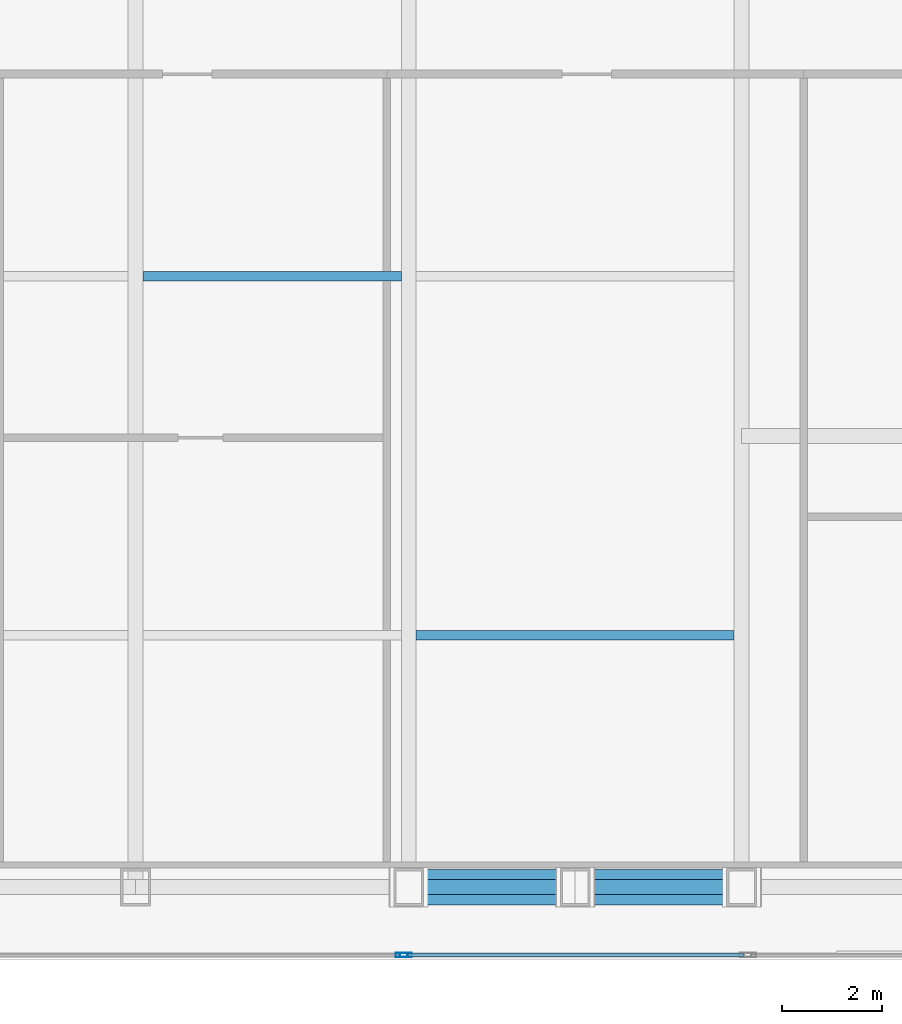
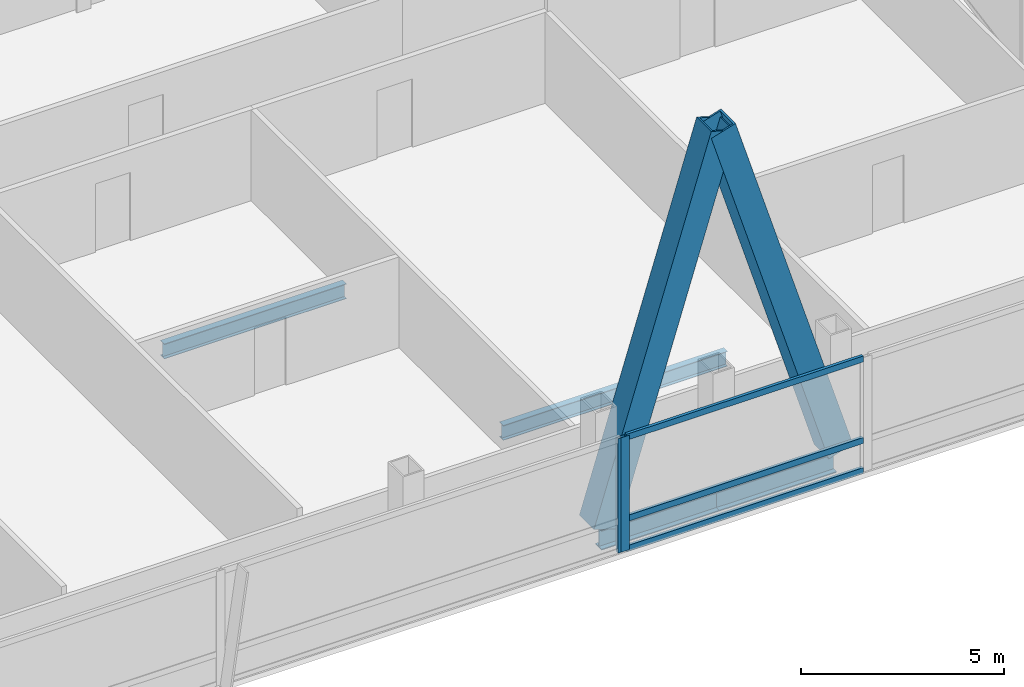
# One storey, part 13 of 32: 7 members, 4 beams, 2 elements without a shape of their own.
"""IFC4 building model written with IfcOpenShell, lengths in metres."""

from ifc_helpers import new_model, si_unit, direction, frame, origin, origin_2d, place, context, subcontext, project, spatial, hollow_rectangle, i_section, extrude, material, material_profile, profile_set, type_object, element, aggregate, save


model = new_model("IFC4")

# Units and contexts
model_context = context("Model", 3, precision=1e-05, world=origin(), true_north=direction((0.0, 1.0)))
body_context = subcontext(model_context, "Body", "Model", "MODEL_VIEW")
ifc_project = project(units=[si_unit("LENGTHUNIT", "METRE"), si_unit("AREAUNIT", "SQUARE_METRE"), si_unit("VOLUMEUNIT", "CUBIC_METRE"), si_unit("PLANEANGLEUNIT", "RADIAN"), si_unit("MASSUNIT", "GRAM", prefix="KILO")], contexts=[model_context])

# Site, building, storey
site_placement = place(None, origin())
site = spatial("IfcSite", under=ifc_project, at=site_placement, CompositionType="ELEMENT")
building_placement = place(site_placement, origin())
building = spatial("IfcBuilding", under=site, at=building_placement, Name="Khoronbel Lancet Exchange", CompositionType="ELEMENT")
storey_placement = place(building_placement, frame((0.0, 0.0, 199.39990234375)))
storey = spatial("IfcBuildingStorey", under=building, at=storey_placement, Name="L50", CompositionType="ELEMENT", Elevation=199.39990234375)

# Beams
ifc_material_1 = material(Name="Steel S355", Category="steel")
ifc_material_profile_1 = material_profile(ifc_material_1, i_section(OverallWidth=0.18994140625, OverallDepth=0.449951171875, WebThickness=0.009521484375, FlangeThickness=0.0146484375, at=origin_2d()), Name="IPE 450")
ifc_profile_set_1 = profile_set([ifc_material_profile_1], Name="Steel S355")
beam_type_1 = type_object("IfcBeamType", Name="BM-BJ4", PredefinedType="JOIST", material=ifc_profile_set_1)
beam_1_placement = place(storey_placement, frame((48.14990234375, 15.199951171875, -0.385009765625), z_axis=(1.0, 0.0, 0.0), x_axis=(0.0, 1.0, 0.0)))
element("IfcBeam", 1, at=beam_1_placement, inside=storey, type_object=beam_type_1, Name="Level L50 secondary composite joist J05", PredefinedType="JOIST", context=body_context, shape_type="SweptSolid", body=[
    extrude(i_section(OverallWidth=0.18994140625, OverallDepth=0.449951171875, WebThickness=0.009521484375, FlangeThickness=0.0146484375, at=origin_2d()), origin(), (0.0, 0.0, 1.0), 6.375),
])
beam_2_placement = place(storey_placement, frame((42.675048828125, 22.39990234375, -0.385009765625), z_axis=(1.0, 0.0, 0.0), x_axis=(0.0, 1.0, 0.0)))
element("IfcBeam", 2, at=beam_2_placement, inside=storey, type_object=beam_type_1, Name="Level L50 secondary composite joist J09", PredefinedType="JOIST", context=body_context, shape_type="SweptSolid", body=[
    extrude(i_section(OverallWidth=0.18994140625, OverallDepth=0.449951171875, WebThickness=0.009521484375, FlangeThickness=0.0146484375, at=origin_2d()), origin(), (0.0, 0.0, 1.0), 5.175048828125),
])
ifc_material_profile_2 = material_profile(ifc_material_1, i_section(OverallWidth=0.300048828125, OverallDepth=0.60009765625, WebThickness=0.015380859375, FlangeThickness=0.030029296875, at=origin_2d()), Name="HEB 600")
ifc_profile_set_2 = profile_set([ifc_material_profile_2], Name="Steel S355")
beam_type_2 = type_object("IfcBeamType", Name="BM-BSP2", PredefinedType="SPANDREL", material=ifc_profile_set_2)
beam_3_placement = place(storey_placement, frame((48.0, 10.14990234375, -0.4599609375), z_axis=(1.0, 0.0, 0.0), x_axis=(0.0, 1.0, 0.0)))
element("IfcBeam", 3, at=beam_3_placement, inside=storey, type_object=beam_type_2, Name="Level L50 perimeter spandrel beam SP07", PredefinedType="SPANDREL", context=body_context, shape_type="SweptSolid", body=[
    extrude(i_section(OverallWidth=0.300048828125, OverallDepth=0.60009765625, WebThickness=0.015380859375, FlangeThickness=0.030029296875, at=origin_2d()), origin(), (0.0, 0.0, 1.0), 3.33740234375),
])
beam_4_placement = place(storey_placement, frame((51.33740234375, 10.14990234375, -0.4599609375), z_axis=(1.0, 0.0, 0.0), x_axis=(0.0, 1.0, 0.0)))
element("IfcBeam", 4, at=beam_4_placement, inside=storey, type_object=beam_type_2, Name="Level L50 perimeter spandrel beam SP08", PredefinedType="SPANDREL", context=body_context, shape_type="SweptSolid", body=[
    extrude(i_section(OverallWidth=0.300048828125, OverallDepth=0.60009765625, WebThickness=0.015380859375, FlangeThickness=0.030029296875, at=origin_2d()), origin(), (0.0, 0.0, 1.0), 3.337646484375),
])

# Curtain wall, member
ifc_material_2 = material(Name="Low-E Solar Control Insulating Glass", Category="glass")
curtain_wall_type = type_object("IfcCurtainWallType", Name="CW-3", PredefinedType="NOTDEFINED", material=ifc_material_2)
curtain_wall_1_placement = place(storey_placement, origin())
curtain_wall_1 = element("IfcCurtainWall", 5, at=curtain_wall_1_placement, inside=storey, type_object=curtain_wall_type, Name="Unitised curtain wall CW-L50-SCV", PredefinedType="NOTDEFINED")
ifc_material_3 = material(Name="Bronze-Anodised Aluminium 6063-T6", Category="aluminium")
ifc_material_profile_3 = material_profile(ifc_material_3, hollow_rectangle(XDim=0.0849609375, YDim=0.239990234375, WallThickness=0.006103515625, at=origin_2d()), Name="ALU MULLION 85x240")
ifc_profile_set_3 = profile_set([ifc_material_profile_3], Name="Bronze-Anodised Aluminium 6063-T6")
member_type_1 = type_object("IfcMemberType", Name="MEM-CWM1", PredefinedType="MULLION", material=ifc_profile_set_3)
member_1_placement = place(storey_placement, frame((47.857421875, 8.7900390625, 0.0), z_axis=(0.0, 0.0, 1.0), x_axis=(0.0, 1.0, 0.0)))
member_1 = element("IfcMember", 6, at=member_1_placement, type_object=member_type_1, Name="CW3 mullion 3", PredefinedType="MULLION", context=body_context, shape_type="SweptSolid", body=[
    extrude(hollow_rectangle(XDim=0.0849609375, YDim=0.239990234375, WallThickness=0.006103515625, at=origin_2d()), origin(), (0.0, 0.0, 1.0), 3.440185546875),
])
aggregate(curtain_wall_1, [member_1])

# Curtain wall, members
curtain_wall_2_placement = place(storey_placement, origin())
curtain_wall_2 = element("IfcCurtainWall", 7, at=curtain_wall_2_placement, inside=storey, type_object=curtain_wall_type, Name="Unitised curtain wall CW-L50-SEB", PredefinedType="NOTDEFINED")
member_2_placement = place(storey_placement, frame((47.9423828125, 8.7900390625, 0.0), z_axis=(0.0, 0.0, 1.0), x_axis=(0.0, 1.0, 0.0)))
member_2 = element("IfcMember", 8, at=member_2_placement, type_object=member_type_1, Name="CW3 mullion 1", PredefinedType="MULLION", context=body_context, shape_type="SweptSolid", body=[
    extrude(hollow_rectangle(XDim=0.0849609375, YDim=0.239990234375, WallThickness=0.006103515625, at=origin_2d()), origin(), (0.0, 0.0, 1.0), 3.440185546875),
])
ifc_material_profile_4 = material_profile(ifc_material_3, hollow_rectangle(XDim=0.0849609375, YDim=0.179931640625, WallThickness=0.0048828125, at=origin_2d()), Name="ALU TRANSOM 85x180")
ifc_profile_set_4 = profile_set([ifc_material_profile_4], Name="Bronze-Anodised Aluminium 6063-T6")
member_type_2 = type_object("IfcMemberType", Name="MEM-CWT1", PredefinedType="USERDEFINED", material=ifc_profile_set_4)
member_3_placement = place(storey_placement, frame((47.985107421875, 8.7900390625, 0.04248046875), z_axis=(1.0, 0.0, 0.0), x_axis=(0.0, 1.0, 0.0)))
member_3 = element("IfcMember", 9, at=member_3_placement, type_object=member_type_2, Name="CW3 transom 1.1", ObjectType="TRANSOM", PredefinedType="USERDEFINED", context=body_context, shape_type="SweptSolid", body=[
    extrude(hollow_rectangle(XDim=0.0849609375, YDim=0.179931640625, WallThickness=0.0048828125, at=origin_2d()), origin(), (0.0, 0.0, 1.0), 6.72998046875),
])
member_4_placement = place(storey_placement, frame((47.985107421875, 8.7900390625, 0.9501953125), z_axis=(1.0, 0.0, 0.0), x_axis=(0.0, 1.0, 0.0)))
member_4 = element("IfcMember", 10, at=member_4_placement, type_object=member_type_2, Name="CW3 transom 1.2", ObjectType="TRANSOM", PredefinedType="USERDEFINED", context=body_context, shape_type="SweptSolid", body=[
    extrude(hollow_rectangle(XDim=0.0849609375, YDim=0.179931640625, WallThickness=0.0048828125, at=origin_2d()), origin(), (0.0, 0.0, 1.0), 6.72998046875),
])
member_5_placement = place(storey_placement, frame((47.985107421875, 8.7900390625, 3.397705078125), z_axis=(1.0, 0.0, 0.0), x_axis=(0.0, 1.0, 0.0)))
member_5 = element("IfcMember", 11, at=member_5_placement, type_object=member_type_2, Name="CW3 transom 1.3", ObjectType="TRANSOM", PredefinedType="USERDEFINED", context=body_context, shape_type="SweptSolid", body=[
    extrude(hollow_rectangle(XDim=0.0849609375, YDim=0.179931640625, WallThickness=0.0048828125, at=origin_2d()), origin(), (0.0, 0.0, 1.0), 6.72998046875),
])
aggregate(curtain_wall_2, [member_2, member_3, member_4, member_5])

# Members
ifc_material_4 = material(Name="Steel S460", Category="steel")
ifc_material_profile_5 = material_profile(ifc_material_4, hollow_rectangle(XDim=0.719970703125, YDim=0.719970703125, WallThickness=0.050048828125, at=origin_2d()), Name="BOX 720x720x50")
ifc_profile_set_5 = profile_set([ifc_material_profile_5], Name="Steel S460")
member_type_3 = type_object("IfcMemberType", Name="MEM-MB2", PredefinedType="BRACE", material=ifc_profile_set_5)
for number, where, z_axis, x_axis, name in (
    (12, (48.0, 10.14990234375, 0.0), (0.295242108906, 0.0, 0.955422470496), (0.0, 1.0, 0.0), "Perimeter lancet brace tier 17 S-E-L"),
    (13, (54.675048828125, 10.14990234375, 0.0), (-0.295261823895, 0.0, 0.955416378), (0.0, -1.0, 0.0), "Perimeter lancet brace tier 17 S-E-R"),
):
    element("IfcMember", number, at=place(storey_placement, frame(where, z_axis=z_axis, x_axis=x_axis)), inside=storey, type_object=member_type_3, Name=name, PredefinedType="BRACE", context=body_context, shape_type="SweptSolid", body=[
        extrude(hollow_rectangle(XDim=0.719970703125, YDim=0.719970703125, WallThickness=0.050048828125, at=origin_2d()), origin(), (0.0, 0.0, 1.0), 11.303955078125),
    ])

save(model, "model.ifc")
